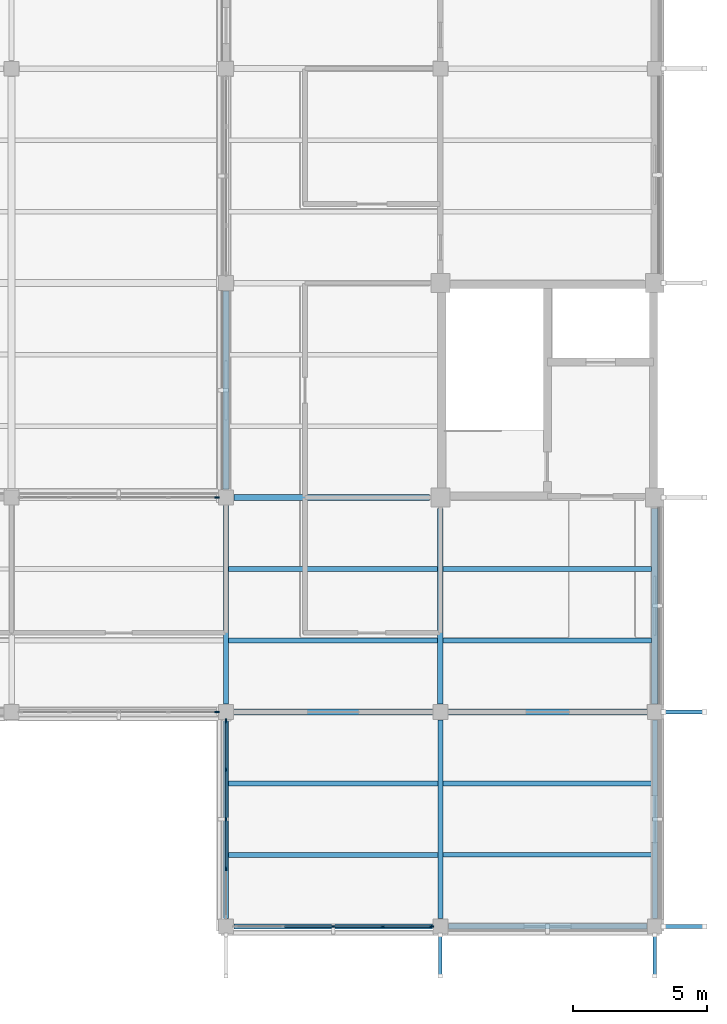
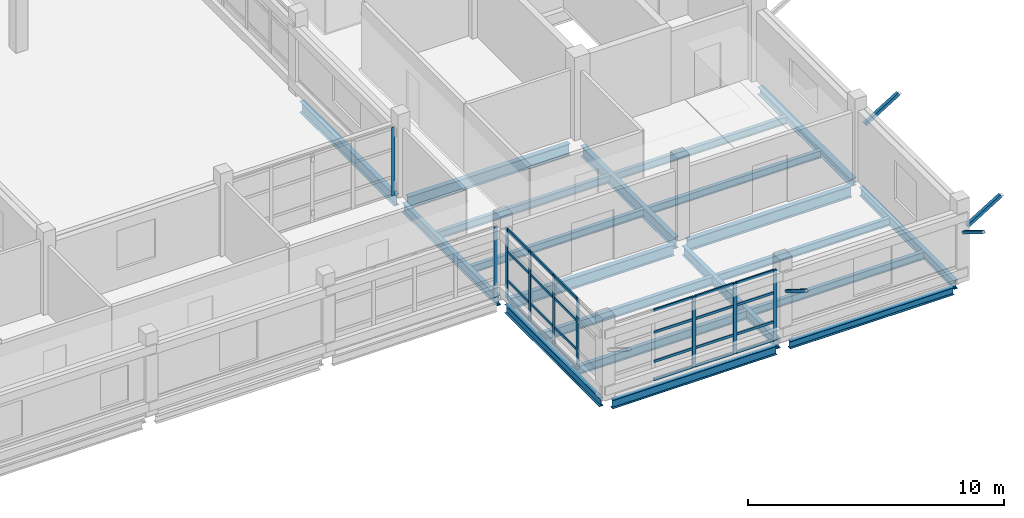
# One storey, part 40 of 107: 37 members, 20 beams, 4 elements without a shape of their own.
"""IFC4 building model written with IfcOpenShell, lengths in metres."""

from ifc_helpers import new_model, si_unit, derived_unit, direction, frame, origin, origin_2d, place, context, subcontext, project, spatial, rectangle, hollow_rectangle, i_section, extrude, material, layer, layer_set, material_profile, profile_set, type_object, element, aggregate, save


model = new_model("IFC4")

# Units and contexts
model_context = context("Model", 3, precision=1e-05, world=origin(), true_north=direction((0.0, 1.0)))
body_context = subcontext(model_context, "Body", "Model", "MODEL_VIEW")
ifc_project = project(units=[si_unit("LENGTHUNIT", "METRE"), si_unit("AREAUNIT", "SQUARE_METRE"), si_unit("VOLUMEUNIT", "CUBIC_METRE"), si_unit("PLANEANGLEUNIT", "RADIAN"), si_unit("MASSUNIT", "GRAM", prefix="KILO"), derived_unit("THERMALTRANSMITTANCEUNIT", [(si_unit("MASSUNIT", "GRAM", prefix="KILO"), 1), (si_unit("TIMEUNIT", "SECOND"), -3), (si_unit("THERMODYNAMICTEMPERATUREUNIT", "KELVIN"), -1)])], contexts=[model_context])

# Site, building, storey
site_placement = place(None, origin())
site = spatial("IfcSite", under=ifc_project, at=site_placement, CompositionType="ELEMENT")
building_placement = place(site_placement, origin())
building = spatial("IfcBuilding", under=site, at=building_placement, Name="Veyamyaing Civic Hall", CompositionType="ELEMENT")
storey_placement = place(building_placement, frame((0.0, 0.0, 13.860107421875)))
storey = spatial("IfcBuildingStorey", under=building, at=storey_placement, Name="L03", CompositionType="ELEMENT", Elevation=13.860107421875)

# Beams
ifc_material_1 = material(Name="Steel ASTM A992", Category="steel")
ifc_material_profile_1 = material_profile(ifc_material_1, i_section(OverallWidth=0.208984375, OverallDepth=0.532958984375, WebThickness=0.01025390625, FlangeThickness=0.015625, FilletRadius=0.011962890625, at=origin_2d()), Name="W530X92")
ifc_profile_set_1 = profile_set([ifc_material_profile_1], Name="Steel ASTM A992")
beam_type_1 = type_object("IfcBeamType", Name="B-07", PredefinedType="BEAM", material=ifc_profile_set_1)
beam_1_placement = place(storey_placement, frame((160.300048828125, 8.0, -0.521728515625), z_axis=(1.0, 0.0, 0.0), x_axis=(0.0, 1.0, 0.0)))
element("IfcBeam", 1, at=beam_1_placement, inside=storey, type_object=beam_type_1, Name="Girder B-07 L03 Grid B 21-22", PredefinedType="BEAM", context=body_context, shape_type="SweptSolid", body=[
    extrude(i_section(OverallWidth=0.208984375, OverallDepth=0.532958984375, WebThickness=0.01025390625, FlangeThickness=0.015625, FilletRadius=0.011962890625, at=origin_2d()), origin(), (0.0, 0.0, 1.0), 7.39990234375),
])
ifc_material_profile_2 = material_profile(ifc_material_1, i_section(OverallWidth=0.19189453125, OverallDepth=0.462890625, WebThickness=0.010498046875, FlangeThickness=0.017578125, FilletRadius=0.010009765625, at=origin_2d()), Name="W460X89")
ifc_profile_set_2 = profile_set([ifc_material_profile_2], Name="Steel ASTM A992")
beam_type_2 = type_object("IfcBeamType", Name="B-08", PredefinedType="BEAM", material=ifc_profile_set_2)
for number, where, z_axis, x_axis, name in (
    (2, (160.0, 8.300048828125, -0.486572265625), (0.0, 1.0, 0.0), (-1.0, 0.0, 0.0), "Girder B-08 L03 Grid 21 B-C"),
    (3, (168.0, 0.300048828125, -0.486572265625), (0.0, 1.0, 0.0), (-1.0, 0.0, 0.0), "Girder B-08 L03 Grid 22 A-B"),
):
    element("IfcBeam", number, at=place(storey_placement, frame(where, z_axis=z_axis, x_axis=x_axis)), inside=storey, type_object=beam_type_2, Name=name, PredefinedType="BEAM", context=body_context, shape_type="SweptSolid", body=[
        extrude(i_section(OverallWidth=0.19189453125, OverallDepth=0.462890625, WebThickness=0.010498046875, FlangeThickness=0.017578125, FilletRadius=0.010009765625, at=origin_2d()), origin(), (0.0, 0.0, 1.0), 7.39990234375),
    ])
ifc_material_profile_3 = material_profile(ifc_material_1, i_section(OverallWidth=0.179931640625, OverallDepth=0.4130859375, WebThickness=0.009765625, FlangeThickness=0.01611328125, FilletRadius=0.010009765625, at=origin_2d()), Name="W410X74")
ifc_profile_set_3 = profile_set([ifc_material_profile_3], Name="Steel ASTM A992")
beam_type_3 = type_object("IfcBeamType", Name="B-10", PredefinedType="SPANDREL", material=ifc_profile_set_3)
for number, where, z_axis, x_axis, name in (
    (4, (160.300048828125, 0.0, -0.461669921875), (1.0, 0.0, 0.0), (0.0, 1.0, 0.0), "Girder B-10 L03 Grid A 21-22"),
    (5, (160.0, 0.300048828125, -0.461669921875), (0.0, 1.0, 0.0), (-1.0, 0.0, 0.0), "Girder B-10 L03 Grid 21 A-B"),
):
    element("IfcBeam", number, at=place(storey_placement, frame(where, z_axis=z_axis, x_axis=x_axis)), inside=storey, type_object=beam_type_3, Name=name, PredefinedType="SPANDREL", context=body_context, shape_type="SweptSolid", body=[
        extrude(i_section(OverallWidth=0.179931640625, OverallDepth=0.4130859375, WebThickness=0.009765625, FlangeThickness=0.01611328125, FilletRadius=0.010009765625, at=origin_2d()), origin(), (0.0, 0.0, 1.0), 7.39990234375),
    ])
ifc_material_profile_4 = material_profile(ifc_material_1, i_section(OverallWidth=0.2041015625, OverallDepth=0.35009765625, WebThickness=0.0078125, FlangeThickness=0.01513671875, FilletRadius=0.010009765625, at=origin_2d()), Name="W360X72")
ifc_profile_set_4 = profile_set([ifc_material_profile_4], Name="Steel ASTM A992")
beam_type_4 = type_object("IfcBeamType", Name="B-11", PredefinedType="SPANDREL", material=ifc_profile_set_4)
beam_2_placement = place(storey_placement, frame((168.300048828125, 0.0, -0.43017578125), z_axis=(1.0, 0.0, 0.0), x_axis=(0.0, 1.0, 0.0)))
element("IfcBeam", 6, at=beam_2_placement, inside=storey, type_object=beam_type_4, Name="Girder B-11 L03 Grid A 22-23", PredefinedType="SPANDREL", context=body_context, shape_type="SweptSolid", body=[
    extrude(i_section(OverallWidth=0.2041015625, OverallDepth=0.35009765625, WebThickness=0.0078125, FlangeThickness=0.01513671875, FilletRadius=0.010009765625, at=origin_2d()), origin(), (0.0, 0.0, 1.0), 7.39990234375),
])
ifc_material_profile_5 = material_profile(ifc_material_1, i_section(OverallWidth=0.214111328125, OverallDepth=0.549072265625, WebThickness=0.0146484375, FlangeThickness=0.023681640625, FilletRadius=0.011962890625, at=origin_2d()), Name="W530X138")
ifc_profile_set_5 = profile_set([ifc_material_profile_5], Name="Steel ASTM A992")
beam_type_5 = type_object("IfcBeamType", Name="B-16", PredefinedType="BEAM", material=ifc_profile_set_5)
beam_3_placement = place(storey_placement, frame((168.300048828125, 8.0, -0.529541015625), z_axis=(1.0, 0.0, 0.0), x_axis=(0.0, 1.0, 0.0)))
element("IfcBeam", 7, at=beam_3_placement, inside=storey, type_object=beam_type_5, Name="Girder B-16 L03 Grid B 22-23", PredefinedType="BEAM", context=body_context, shape_type="SweptSolid", body=[
    extrude(i_section(OverallWidth=0.214111328125, OverallDepth=0.549072265625, WebThickness=0.0146484375, FlangeThickness=0.023681640625, FilletRadius=0.011962890625, at=origin_2d()), origin(), (0.0, 0.0, 1.0), 7.39990234375),
])
beam_4_placement = place(storey_placement, frame((160.300048828125, 16.0, -0.529541015625), z_axis=(1.0, 0.0, 0.0), x_axis=(0.0, 1.0, 0.0)))
element("IfcBeam", 8, at=beam_4_placement, inside=storey, type_object=beam_type_5, Name="Girder B-16 L03 Grid C 21-22", PredefinedType="BEAM", context=body_context, shape_type="SweptSolid", body=[
    extrude(i_section(OverallWidth=0.214111328125, OverallDepth=0.549072265625, WebThickness=0.0146484375, FlangeThickness=0.023681640625, FilletRadius=0.011962890625, at=origin_2d()), origin(), (0.0, 0.0, 1.0), 7.300048828125),
])
ifc_material_profile_6 = material_profile(ifc_material_1, i_section(OverallWidth=0.2109375, OverallDepth=0.5390625, WebThickness=0.01171875, FlangeThickness=0.018798828125, FilletRadius=0.011962890625, at=origin_2d()), Name="W530X109")
ifc_profile_set_6 = profile_set([ifc_material_profile_6], Name="Steel ASTM A992")
beam_type_6 = type_object("IfcBeamType", Name="B-17", PredefinedType="BEAM", material=ifc_profile_set_6)
beam_5_placement = place(storey_placement, frame((160.0, 16.300048828125, -0.524658203125), z_axis=(0.0, 1.0, 0.0), x_axis=(-1.0, 0.0, 0.0)))
element("IfcBeam", 9, at=beam_5_placement, inside=storey, type_object=beam_type_6, Name="Girder B-17 L03 Grid 21 C-D", PredefinedType="BEAM", context=body_context, shape_type="SweptSolid", body=[
    extrude(i_section(OverallWidth=0.2109375, OverallDepth=0.5390625, WebThickness=0.01171875, FlangeThickness=0.018798828125, FilletRadius=0.011962890625, at=origin_2d()), origin(), (0.0, 0.0, 1.0), 7.39990234375),
])
beam_6_placement = place(storey_placement, frame((168.0, 8.300048828125, -0.524658203125), z_axis=(0.0, 1.0, 0.0), x_axis=(-1.0, 0.0, 0.0)))
element("IfcBeam", 10, at=beam_6_placement, inside=storey, type_object=beam_type_6, Name="Girder B-17 L03 Grid 22 B-C", PredefinedType="BEAM", context=body_context, shape_type="SweptSolid", body=[
    extrude(i_section(OverallWidth=0.2109375, OverallDepth=0.5390625, WebThickness=0.01171875, FlangeThickness=0.018798828125, FilletRadius=0.011962890625, at=origin_2d()), origin(), (0.0, 0.0, 1.0), 7.300048828125),
])
ifc_material_profile_7 = material_profile(ifc_material_1, i_section(OverallWidth=0.180908203125, OverallDepth=0.4169921875, WebThickness=0.010986328125, FlangeThickness=0.018310546875, FilletRadius=0.010009765625, at=origin_2d()), Name="W410X85")
ifc_profile_set_7 = profile_set([ifc_material_profile_7], Name="Steel ASTM A992")
beam_type_7 = type_object("IfcBeamType", Name="B-19", PredefinedType="SPANDREL", material=ifc_profile_set_7)
beam_7_placement = place(storey_placement, frame((176.0, 0.300048828125, -0.463623046875), z_axis=(0.0, 1.0, 0.0), x_axis=(-1.0, 0.0, 0.0)))
element("IfcBeam", 11, at=beam_7_placement, inside=storey, type_object=beam_type_7, Name="Girder B-19 L03 Grid 23 A-B", PredefinedType="SPANDREL", context=body_context, shape_type="SweptSolid", body=[
    extrude(i_section(OverallWidth=0.180908203125, OverallDepth=0.4169921875, WebThickness=0.010986328125, FlangeThickness=0.018310546875, FilletRadius=0.010009765625, at=origin_2d()), origin(), (0.0, 0.0, 1.0), 7.39990234375),
])
ifc_material_profile_8 = material_profile(ifc_material_1, i_section(OverallWidth=0.25390625, OverallDepth=0.35302734375, WebThickness=0.009521484375, FlangeThickness=0.016357421875, FilletRadius=0.011962890625, at=origin_2d()), Name="W360X91")
ifc_profile_set_8 = profile_set([ifc_material_profile_8], Name="Steel ASTM A992")
beam_type_8 = type_object("IfcBeamType", Name="B-20", PredefinedType="SPANDREL", material=ifc_profile_set_8)
beam_8_placement = place(storey_placement, frame((176.0, 8.300048828125, -0.431640625), z_axis=(0.0, 1.0, 0.0), x_axis=(-1.0, 0.0, 0.0)))
element("IfcBeam", 12, at=beam_8_placement, inside=storey, type_object=beam_type_8, Name="Girder B-20 L03 Grid 23 B-C", PredefinedType="SPANDREL", context=body_context, shape_type="SweptSolid", body=[
    extrude(i_section(OverallWidth=0.25390625, OverallDepth=0.35302734375, WebThickness=0.009521484375, FlangeThickness=0.016357421875, FilletRadius=0.011962890625, at=origin_2d()), origin(), (0.0, 0.0, 1.0), 7.300048828125),
])

# Curtain wall, member
ifc_material_2 = material(Name="Anodised aluminium 6063-T6", Category="aluminium")
ifc_layer = layer(ifc_material_2, 0.159912109375, Name="Anodised aluminium 6063-T6")
ifc_layer_set = layer_set([ifc_layer], Name="Anodised aluminium 6063-T6")
curtain_wall_type = type_object("IfcCurtainWallType", Name="CW-07", PredefinedType="NOTDEFINED", material=ifc_layer_set)
curtain_wall_1_placement = place(storey_placement, origin())
curtain_wall_1 = element("IfcCurtainWall", 13, at=curtain_wall_1_placement, inside=storey, type_object=curtain_wall_type, Name="Unitized curtain wall CW-07 L03 S 20.2", PredefinedType="NOTDEFINED")
ifc_material_profile_9 = material_profile(ifc_material_2, rectangle(XDim=0.06494140625, YDim=0.159912109375, at=origin_2d()), Name="ALU-MUL-65X160")
ifc_profile_set_9 = profile_set([ifc_material_profile_9], Name="Anodised aluminium 6063-T6")
member_type_1 = type_object("IfcMemberType", Name="CWM-01", PredefinedType="MULLION", material=ifc_profile_set_9)
member_1_placement = place(storey_placement, frame((159.66259765625, 8.0, 0.0), z_axis=(0.0, 0.0, 1.0), x_axis=(0.0, 1.0, 0.0)))
member_1 = element("IfcMember", 14, at=member_1_placement, type_object=member_type_1, Name="CW-07 mullion 5", PredefinedType="MULLION", context=body_context, shape_type="SweptSolid", body=[
    extrude(rectangle(XDim=0.06494140625, YDim=0.159912109375, at=origin_2d()), origin(), (0.0, 0.0, 1.0), 3.366943359375),
])
aggregate(curtain_wall_1, [member_1])

curtain_wall_2_placement = place(storey_placement, origin())
curtain_wall_2 = element("IfcCurtainWall", 15, at=curtain_wall_2_placement, inside=storey, type_object=curtain_wall_type, Name="Unitized curtain wall CW-07 L03 N 20.2", PredefinedType="NOTDEFINED")
member_2_placement = place(storey_placement, frame((159.66259765625, 16.0, 0.0), z_axis=(0.0, 0.0, 1.0), x_axis=(0.0, 1.0, 0.0)))
member_2 = element("IfcMember", 16, at=member_2_placement, type_object=member_type_1, Name="CW-07 mullion 5", PredefinedType="MULLION", context=body_context, shape_type="SweptSolid", body=[
    extrude(rectangle(XDim=0.06494140625, YDim=0.159912109375, at=origin_2d()), origin(), (0.0, 0.0, 1.0), 3.260009765625),
])
aggregate(curtain_wall_2, [member_2])

# Curtain wall, members
curtain_wall_3_placement = place(storey_placement, origin())
curtain_wall_3 = element("IfcCurtainWall", 17, at=curtain_wall_3_placement, inside=storey, type_object=curtain_wall_type, Name="Unitized curtain wall CW-07 L03 S 21.1", PredefinedType="NOTDEFINED")
member_3_placement = place(storey_placement, frame((164.0, 0.0, 0.0), z_axis=(0.0, 0.0, 1.0), x_axis=(0.0, 1.0, 0.0)))
member_3 = element("IfcMember", 18, at=member_3_placement, type_object=member_type_1, Name="CW-07 mullion 3", PredefinedType="MULLION", context=body_context, shape_type="SweptSolid", body=[
    extrude(rectangle(XDim=0.06494140625, YDim=0.159912109375, at=origin_2d()), origin(), (0.0, 0.0, 1.0), 3.36181640625),
])
member_4_placement = place(storey_placement, frame((165.847412109375, 0.0, 0.0), z_axis=(0.0, 0.0, 1.0), x_axis=(0.0, 1.0, 0.0)))
member_4 = element("IfcMember", 19, at=member_4_placement, type_object=member_type_1, Name="CW-07 mullion 4", PredefinedType="MULLION", context=body_context, shape_type="SweptSolid", body=[
    extrude(rectangle(XDim=0.06494140625, YDim=0.159912109375, at=origin_2d()), origin(), (0.0, 0.0, 1.0), 3.36181640625),
])
member_5_placement = place(storey_placement, frame((167.66259765625, 0.0, 0.0), z_axis=(0.0, 0.0, 1.0), x_axis=(0.0, 1.0, 0.0)))
member_5 = element("IfcMember", 20, at=member_5_placement, type_object=member_type_1, Name="CW-07 mullion 5", PredefinedType="MULLION", context=body_context, shape_type="SweptSolid", body=[
    extrude(rectangle(XDim=0.06494140625, YDim=0.159912109375, at=origin_2d()), origin(), (0.0, 0.0, 1.0), 3.36181640625),
])

curtain_wall_4_placement = place(storey_placement, origin())
curtain_wall_4 = element("IfcCurtainWall", 21, at=curtain_wall_4_placement, inside=storey, type_object=curtain_wall_type, Name="Unitized curtain wall CW-07 L03 W 21.1", PredefinedType="NOTDEFINED")
member_6_placement = place(storey_placement, frame((160.0, 2.152587890625, 0.0), z_axis=(0.0, 0.0, 1.0), x_axis=(-1.0, 0.0, 0.0)))
member_6 = element("IfcMember", 22, at=member_6_placement, type_object=member_type_1, Name="CW-07 mullion 2", PredefinedType="MULLION", context=body_context, shape_type="SweptSolid", body=[
    extrude(rectangle(XDim=0.06494140625, YDim=0.159912109375, at=origin_2d()), origin(), (0.0, 0.0, 1.0), 3.36181640625),
])
member_7_placement = place(storey_placement, frame((160.0, 4.0, 0.0), z_axis=(0.0, 0.0, 1.0), x_axis=(-1.0, 0.0, 0.0)))
member_7 = element("IfcMember", 23, at=member_7_placement, type_object=member_type_1, Name="CW-07 mullion 3", PredefinedType="MULLION", context=body_context, shape_type="SweptSolid", body=[
    extrude(rectangle(XDim=0.06494140625, YDim=0.159912109375, at=origin_2d()), origin(), (0.0, 0.0, 1.0), 3.36181640625),
])
member_8_placement = place(storey_placement, frame((160.0, 5.847412109375, 0.0), z_axis=(0.0, 0.0, 1.0), x_axis=(-1.0, 0.0, 0.0)))
member_8 = element("IfcMember", 24, at=member_8_placement, type_object=member_type_1, Name="CW-07 mullion 4", PredefinedType="MULLION", context=body_context, shape_type="SweptSolid", body=[
    extrude(rectangle(XDim=0.06494140625, YDim=0.159912109375, at=origin_2d()), origin(), (0.0, 0.0, 1.0), 3.36181640625),
])
member_9_placement = place(storey_placement, frame((160.0, 7.66259765625, 0.0), z_axis=(0.0, 0.0, 1.0), x_axis=(-1.0, 0.0, 0.0)))
member_9 = element("IfcMember", 25, at=member_9_placement, type_object=member_type_1, Name="CW-07 mullion 5", PredefinedType="MULLION", context=body_context, shape_type="SweptSolid", body=[
    extrude(rectangle(XDim=0.06494140625, YDim=0.159912109375, at=origin_2d()), origin(), (0.0, 0.0, 1.0), 3.36181640625),
])

# Member
ifc_material_profile_10 = material_profile(ifc_material_2, rectangle(XDim=0.06494140625, YDim=0.1201171875, at=origin_2d()), Name="ALU-TRN-65X120")
ifc_profile_set_10 = profile_set([ifc_material_profile_10], Name="Anodised aluminium 6063-T6")
member_type_2 = type_object("IfcMemberType", Name="CWT-01", PredefinedType="USERDEFINED", material=ifc_profile_set_10)
member_10_placement = place(storey_placement, frame((162.18505859375, 0.0, 0.032470703125), z_axis=(1.0, 0.0, 0.0), x_axis=(0.0, 1.0, 0.0)))
member_10 = element("IfcMember", 26, at=member_10_placement, type_object=member_type_2, Name="CW-07 transom 2.1", ObjectType="TRANSOM", PredefinedType="USERDEFINED", context=body_context, shape_type="SweptSolid", body=[
    extrude(rectangle(XDim=0.06494140625, YDim=0.1201171875, at=origin_2d()), origin(), (0.0, 0.0, 1.0), 1.782470703125),
])

member_11_placement = place(storey_placement, frame((162.18505859375, 0.0, 0.89990234375), z_axis=(1.0, 0.0, 0.0), x_axis=(0.0, 1.0, 0.0)))
member_11 = element("IfcMember", 27, at=member_11_placement, type_object=member_type_2, Name="CW-07 transom 2.2", ObjectType="TRANSOM", PredefinedType="USERDEFINED", context=body_context, shape_type="SweptSolid", body=[
    extrude(rectangle(XDim=0.06494140625, YDim=0.1201171875, at=origin_2d()), origin(), (0.0, 0.0, 1.0), 1.782470703125),
])

member_12_placement = place(storey_placement, frame((162.18505859375, 0.0, 2.2861328125), z_axis=(1.0, 0.0, 0.0), x_axis=(0.0, 1.0, 0.0)))
member_12 = element("IfcMember", 28, at=member_12_placement, type_object=member_type_2, Name="CW-07 transom 2.3", ObjectType="TRANSOM", PredefinedType="USERDEFINED", context=body_context, shape_type="SweptSolid", body=[
    extrude(rectangle(XDim=0.06494140625, YDim=0.1201171875, at=origin_2d()), origin(), (0.0, 0.0, 1.0), 1.782470703125),
])

member_13_placement = place(storey_placement, frame((162.18505859375, 0.0, 3.329345703125), z_axis=(1.0, 0.0, 0.0), x_axis=(0.0, 1.0, 0.0)))
member_13 = element("IfcMember", 29, at=member_13_placement, type_object=member_type_2, Name="CW-07 transom 2.4", ObjectType="TRANSOM", PredefinedType="USERDEFINED", context=body_context, shape_type="SweptSolid", body=[
    extrude(rectangle(XDim=0.06494140625, YDim=0.1201171875, at=origin_2d()), origin(), (0.0, 0.0, 1.0), 1.782470703125),
])

member_14_placement = place(storey_placement, frame((164.032470703125, 0.0, 0.032470703125), z_axis=(1.0, 0.0, 0.0), x_axis=(0.0, 1.0, 0.0)))
member_14 = element("IfcMember", 30, at=member_14_placement, type_object=member_type_2, Name="CW-07 transom 3.1", ObjectType="TRANSOM", PredefinedType="USERDEFINED", context=body_context, shape_type="SweptSolid", body=[
    extrude(rectangle(XDim=0.06494140625, YDim=0.1201171875, at=origin_2d()), origin(), (0.0, 0.0, 1.0), 1.782470703125),
])

member_15_placement = place(storey_placement, frame((164.032470703125, 0.0, 0.89990234375), z_axis=(1.0, 0.0, 0.0), x_axis=(0.0, 1.0, 0.0)))
member_15 = element("IfcMember", 31, at=member_15_placement, type_object=member_type_2, Name="CW-07 transom 3.2", ObjectType="TRANSOM", PredefinedType="USERDEFINED", context=body_context, shape_type="SweptSolid", body=[
    extrude(rectangle(XDim=0.06494140625, YDim=0.1201171875, at=origin_2d()), origin(), (0.0, 0.0, 1.0), 1.782470703125),
])

member_16_placement = place(storey_placement, frame((164.032470703125, 0.0, 2.2861328125), z_axis=(1.0, 0.0, 0.0), x_axis=(0.0, 1.0, 0.0)))
member_16 = element("IfcMember", 32, at=member_16_placement, type_object=member_type_2, Name="CW-07 transom 3.3", ObjectType="TRANSOM", PredefinedType="USERDEFINED", context=body_context, shape_type="SweptSolid", body=[
    extrude(rectangle(XDim=0.06494140625, YDim=0.1201171875, at=origin_2d()), origin(), (0.0, 0.0, 1.0), 1.782470703125),
])

member_17_placement = place(storey_placement, frame((164.032470703125, 0.0, 3.329345703125), z_axis=(1.0, 0.0, 0.0), x_axis=(0.0, 1.0, 0.0)))
member_17 = element("IfcMember", 33, at=member_17_placement, type_object=member_type_2, Name="CW-07 transom 3.4", ObjectType="TRANSOM", PredefinedType="USERDEFINED", context=body_context, shape_type="SweptSolid", body=[
    extrude(rectangle(XDim=0.06494140625, YDim=0.1201171875, at=origin_2d()), origin(), (0.0, 0.0, 1.0), 1.782470703125),
])

member_18_placement = place(storey_placement, frame((165.8798828125, 0.0, 0.032470703125), z_axis=(1.0, 0.0, 0.0), x_axis=(0.0, 1.0, 0.0)))
member_18 = element("IfcMember", 34, at=member_18_placement, type_object=member_type_2, Name="CW-07 transom 4.1", ObjectType="TRANSOM", PredefinedType="USERDEFINED", context=body_context, shape_type="SweptSolid", body=[
    extrude(rectangle(XDim=0.06494140625, YDim=0.1201171875, at=origin_2d()), origin(), (0.0, 0.0, 1.0), 1.75),
])

member_19_placement = place(storey_placement, frame((165.8798828125, 0.0, 0.89990234375), z_axis=(1.0, 0.0, 0.0), x_axis=(0.0, 1.0, 0.0)))
member_19 = element("IfcMember", 35, at=member_19_placement, type_object=member_type_2, Name="CW-07 transom 4.2", ObjectType="TRANSOM", PredefinedType="USERDEFINED", context=body_context, shape_type="SweptSolid", body=[
    extrude(rectangle(XDim=0.06494140625, YDim=0.1201171875, at=origin_2d()), origin(), (0.0, 0.0, 1.0), 1.75),
])

member_20_placement = place(storey_placement, frame((165.8798828125, 0.0, 2.2861328125), z_axis=(1.0, 0.0, 0.0), x_axis=(0.0, 1.0, 0.0)))
member_20 = element("IfcMember", 36, at=member_20_placement, type_object=member_type_2, Name="CW-07 transom 4.3", ObjectType="TRANSOM", PredefinedType="USERDEFINED", context=body_context, shape_type="SweptSolid", body=[
    extrude(rectangle(XDim=0.06494140625, YDim=0.1201171875, at=origin_2d()), origin(), (0.0, 0.0, 1.0), 1.75),
])

member_21_placement = place(storey_placement, frame((165.8798828125, 0.0, 3.329345703125), z_axis=(1.0, 0.0, 0.0), x_axis=(0.0, 1.0, 0.0)))
member_21 = element("IfcMember", 37, at=member_21_placement, type_object=member_type_2, Name="CW-07 transom 4.4", ObjectType="TRANSOM", PredefinedType="USERDEFINED", context=body_context, shape_type="SweptSolid", body=[
    extrude(rectangle(XDim=0.06494140625, YDim=0.1201171875, at=origin_2d()), origin(), (0.0, 0.0, 1.0), 1.75),
])

aggregate(curtain_wall_3, [member_3, member_4, member_5, member_10, member_11, member_12, member_13, member_14, member_15, member_16, member_17, member_18, member_19, member_20, member_21])

member_22_placement = place(storey_placement, frame((160.0, 2.18505859375, 0.032470703125), z_axis=(0.0, 1.0, 0.0), x_axis=(-1.0, 0.0, 0.0)))
member_22 = element("IfcMember", 38, at=member_22_placement, type_object=member_type_2, Name="CW-07 transom 2.1", ObjectType="TRANSOM", PredefinedType="USERDEFINED", context=body_context, shape_type="SweptSolid", body=[
    extrude(rectangle(XDim=0.06494140625, YDim=0.1201171875, at=origin_2d()), origin(), (0.0, 0.0, 1.0), 1.782470703125),
])

member_23_placement = place(storey_placement, frame((160.0, 2.18505859375, 0.89990234375), z_axis=(0.0, 1.0, 0.0), x_axis=(-1.0, 0.0, 0.0)))
member_23 = element("IfcMember", 39, at=member_23_placement, type_object=member_type_2, Name="CW-07 transom 2.2", ObjectType="TRANSOM", PredefinedType="USERDEFINED", context=body_context, shape_type="SweptSolid", body=[
    extrude(rectangle(XDim=0.06494140625, YDim=0.1201171875, at=origin_2d()), origin(), (0.0, 0.0, 1.0), 1.782470703125),
])

member_24_placement = place(storey_placement, frame((160.0, 2.18505859375, 2.2861328125), z_axis=(0.0, 1.0, 0.0), x_axis=(-1.0, 0.0, 0.0)))
member_24 = element("IfcMember", 40, at=member_24_placement, type_object=member_type_2, Name="CW-07 transom 2.3", ObjectType="TRANSOM", PredefinedType="USERDEFINED", context=body_context, shape_type="SweptSolid", body=[
    extrude(rectangle(XDim=0.06494140625, YDim=0.1201171875, at=origin_2d()), origin(), (0.0, 0.0, 1.0), 1.782470703125),
])

member_25_placement = place(storey_placement, frame((160.0, 2.18505859375, 3.329345703125), z_axis=(0.0, 1.0, 0.0), x_axis=(-1.0, 0.0, 0.0)))
member_25 = element("IfcMember", 41, at=member_25_placement, type_object=member_type_2, Name="CW-07 transom 2.4", ObjectType="TRANSOM", PredefinedType="USERDEFINED", context=body_context, shape_type="SweptSolid", body=[
    extrude(rectangle(XDim=0.06494140625, YDim=0.1201171875, at=origin_2d()), origin(), (0.0, 0.0, 1.0), 1.782470703125),
])

member_26_placement = place(storey_placement, frame((160.0, 4.032470703125, 0.032470703125), z_axis=(0.0, 1.0, 0.0), x_axis=(-1.0, 0.0, 0.0)))
member_26 = element("IfcMember", 42, at=member_26_placement, type_object=member_type_2, Name="CW-07 transom 3.1", ObjectType="TRANSOM", PredefinedType="USERDEFINED", context=body_context, shape_type="SweptSolid", body=[
    extrude(rectangle(XDim=0.06494140625, YDim=0.1201171875, at=origin_2d()), origin(), (0.0, 0.0, 1.0), 1.782470703125),
])

member_27_placement = place(storey_placement, frame((160.0, 4.032470703125, 0.89990234375), z_axis=(0.0, 1.0, 0.0), x_axis=(-1.0, 0.0, 0.0)))
member_27 = element("IfcMember", 43, at=member_27_placement, type_object=member_type_2, Name="CW-07 transom 3.2", ObjectType="TRANSOM", PredefinedType="USERDEFINED", context=body_context, shape_type="SweptSolid", body=[
    extrude(rectangle(XDim=0.06494140625, YDim=0.1201171875, at=origin_2d()), origin(), (0.0, 0.0, 1.0), 1.782470703125),
])

member_28_placement = place(storey_placement, frame((160.0, 4.032470703125, 2.2861328125), z_axis=(0.0, 1.0, 0.0), x_axis=(-1.0, 0.0, 0.0)))
member_28 = element("IfcMember", 44, at=member_28_placement, type_object=member_type_2, Name="CW-07 transom 3.3", ObjectType="TRANSOM", PredefinedType="USERDEFINED", context=body_context, shape_type="SweptSolid", body=[
    extrude(rectangle(XDim=0.06494140625, YDim=0.1201171875, at=origin_2d()), origin(), (0.0, 0.0, 1.0), 1.782470703125),
])

member_29_placement = place(storey_placement, frame((160.0, 4.032470703125, 3.329345703125), z_axis=(0.0, 1.0, 0.0), x_axis=(-1.0, 0.0, 0.0)))
member_29 = element("IfcMember", 45, at=member_29_placement, type_object=member_type_2, Name="CW-07 transom 3.4", ObjectType="TRANSOM", PredefinedType="USERDEFINED", context=body_context, shape_type="SweptSolid", body=[
    extrude(rectangle(XDim=0.06494140625, YDim=0.1201171875, at=origin_2d()), origin(), (0.0, 0.0, 1.0), 1.782470703125),
])

member_30_placement = place(storey_placement, frame((160.0, 5.8798828125, 0.032470703125), z_axis=(0.0, 1.0, 0.0), x_axis=(-1.0, 0.0, 0.0)))
member_30 = element("IfcMember", 46, at=member_30_placement, type_object=member_type_2, Name="CW-07 transom 4.1", ObjectType="TRANSOM", PredefinedType="USERDEFINED", context=body_context, shape_type="SweptSolid", body=[
    extrude(rectangle(XDim=0.06494140625, YDim=0.1201171875, at=origin_2d()), origin(), (0.0, 0.0, 1.0), 1.75),
])

member_31_placement = place(storey_placement, frame((160.0, 5.8798828125, 0.89990234375), z_axis=(0.0, 1.0, 0.0), x_axis=(-1.0, 0.0, 0.0)))
member_31 = element("IfcMember", 47, at=member_31_placement, type_object=member_type_2, Name="CW-07 transom 4.2", ObjectType="TRANSOM", PredefinedType="USERDEFINED", context=body_context, shape_type="SweptSolid", body=[
    extrude(rectangle(XDim=0.06494140625, YDim=0.1201171875, at=origin_2d()), origin(), (0.0, 0.0, 1.0), 1.75),
])

member_32_placement = place(storey_placement, frame((160.0, 5.8798828125, 2.2861328125), z_axis=(0.0, 1.0, 0.0), x_axis=(-1.0, 0.0, 0.0)))
member_32 = element("IfcMember", 48, at=member_32_placement, type_object=member_type_2, Name="CW-07 transom 4.3", ObjectType="TRANSOM", PredefinedType="USERDEFINED", context=body_context, shape_type="SweptSolid", body=[
    extrude(rectangle(XDim=0.06494140625, YDim=0.1201171875, at=origin_2d()), origin(), (0.0, 0.0, 1.0), 1.75),
])

member_33_placement = place(storey_placement, frame((160.0, 5.8798828125, 3.329345703125), z_axis=(0.0, 1.0, 0.0), x_axis=(-1.0, 0.0, 0.0)))
member_33 = element("IfcMember", 49, at=member_33_placement, type_object=member_type_2, Name="CW-07 transom 4.4", ObjectType="TRANSOM", PredefinedType="USERDEFINED", context=body_context, shape_type="SweptSolid", body=[
    extrude(rectangle(XDim=0.06494140625, YDim=0.1201171875, at=origin_2d()), origin(), (0.0, 0.0, 1.0), 1.75),
])

aggregate(curtain_wall_4, [member_6, member_7, member_8, member_9, member_22, member_23, member_24, member_25, member_26, member_27, member_28, member_29, member_30, member_31, member_32, member_33])

# Beams
ifc_material_profile_11 = material_profile(ifc_material_1, i_section(OverallWidth=0.177978515625, OverallDepth=0.406982421875, WebThickness=0.0078125, FlangeThickness=0.0126953125, FilletRadius=0.010009765625, at=origin_2d()), Name="W410X60")
ifc_profile_set_11 = profile_set([ifc_material_profile_11], Name="Steel ASTM A992")
beam_type_9 = type_object("IfcBeamType", Name="J-01", PredefinedType="JOIST", material=ifc_profile_set_11)
for number, where, z_axis, x_axis, name in (
    (50, (160.087890625, 2.666748046875, -0.45849609375), (1.0, 0.0, 0.0), (0.0, 1.0, 0.0), "Composite floor joist J-01 L03 21.1.1"),
    (51, (160.087890625, 5.333251953125, -0.45849609375), (1.0, 0.0, 0.0), (0.0, 1.0, 0.0), "Composite floor joist J-01 L03 21.1.2"),
):
    element("IfcBeam", number, at=place(storey_placement, frame(where, z_axis=z_axis, x_axis=x_axis)), inside=storey, type_object=beam_type_9, Name=name, PredefinedType="JOIST", context=body_context, shape_type="SweptSolid", body=[
        extrude(i_section(OverallWidth=0.177978515625, OverallDepth=0.406982421875, WebThickness=0.0078125, FlangeThickness=0.0126953125, FilletRadius=0.010009765625, at=origin_2d()), origin(), (0.0, 0.0, 1.0), 7.818115234375),
    ])
ifc_material_profile_12 = material_profile(ifc_material_1, i_section(OverallWidth=0.172119140625, OverallDepth=0.35791015625, WebThickness=0.0078125, FlangeThickness=0.01318359375, FilletRadius=0.010009765625, at=origin_2d()), Name="W360X57")
ifc_profile_set_12 = profile_set([ifc_material_profile_12], Name="Steel ASTM A992")
beam_type_10 = type_object("IfcBeamType", Name="J-02", PredefinedType="JOIST", material=ifc_profile_set_12)
for number, where, z_axis, x_axis, name in (
    (52, (160.093994140625, 10.666748046875, -0.43408203125), (1.0, 0.0, 0.0), (0.0, 1.0, 0.0), "Composite floor joist J-02 L03 21.2.1"),
    (53, (160.093994140625, 13.333251953125, -0.43408203125), (1.0, 0.0, 0.0), (0.0, 1.0, 0.0), "Composite floor joist J-02 L03 21.2.2"),
):
    element("IfcBeam", number, at=place(storey_placement, frame(where, z_axis=z_axis, x_axis=x_axis)), inside=storey, type_object=beam_type_10, Name=name, PredefinedType="JOIST", context=body_context, shape_type="SweptSolid", body=[
        extrude(i_section(OverallWidth=0.172119140625, OverallDepth=0.35791015625, WebThickness=0.0078125, FlangeThickness=0.01318359375, FilletRadius=0.010009765625, at=origin_2d()), origin(), (0.0, 0.0, 1.0), 7.802490234375),
    ])
for number, where, z_axis, x_axis, name in (
    (54, (168.093994140625, 2.666748046875, -0.43408203125), (1.0, 0.0, 0.0), (0.0, 1.0, 0.0), "Composite floor joist J-02 L03 22.1.1"),
    (55, (168.093994140625, 5.333251953125, -0.43408203125), (1.0, 0.0, 0.0), (0.0, 1.0, 0.0), "Composite floor joist J-02 L03 22.1.2"),
):
    element("IfcBeam", number, at=place(storey_placement, frame(where, z_axis=z_axis, x_axis=x_axis)), inside=storey, type_object=beam_type_10, Name=name, PredefinedType="JOIST", context=body_context, shape_type="SweptSolid", body=[
        extrude(i_section(OverallWidth=0.172119140625, OverallDepth=0.35791015625, WebThickness=0.0078125, FlangeThickness=0.01318359375, FilletRadius=0.010009765625, at=origin_2d()), origin(), (0.0, 0.0, 1.0), 7.817626953125),
    ])
ifc_material_profile_13 = material_profile(ifc_material_1, i_section(OverallWidth=0.1708984375, OverallDepth=0.35205078125, WebThickness=0.0068359375, FlangeThickness=0.009765625, FilletRadius=0.010009765625, at=origin_2d()), Name="W360X44")
ifc_profile_set_13 = profile_set([ifc_material_profile_13], Name="Steel ASTM A992")
beam_type_11 = type_object("IfcBeamType", Name="J-03", PredefinedType="JOIST", material=ifc_profile_set_13)
for number, where, z_axis, x_axis, name in (
    (56, (168.103515625, 10.666748046875, -0.43115234375), (1.0, 0.0, 0.0), (0.0, 1.0, 0.0), "Composite floor joist J-03 L03 22.2.1"),
    (57, (168.103515625, 13.333251953125, -0.43115234375), (1.0, 0.0, 0.0), (0.0, 1.0, 0.0), "Composite floor joist J-03 L03 22.2.2"),
):
    element("IfcBeam", number, at=place(storey_placement, frame(where, z_axis=z_axis, x_axis=x_axis)), inside=storey, type_object=beam_type_11, Name=name, PredefinedType="JOIST", context=body_context, shape_type="SweptSolid", body=[
        extrude(i_section(OverallWidth=0.1708984375, OverallDepth=0.35205078125, WebThickness=0.0068359375, FlangeThickness=0.009765625, FilletRadius=0.010009765625, at=origin_2d()), origin(), (0.0, 0.0, 1.0), 7.771484375),
    ])

# Members
ifc_material_3 = material(Name="Steel S355J2", Category="steel")
ifc_material_profile_14 = material_profile(ifc_material_3, hollow_rectangle(XDim=0.152099609375, YDim=0.152099609375, WallThickness=0.009521484375, at=origin_2d()), Name="HSS152X152X9.5")
ifc_profile_set_14 = profile_set([ifc_material_profile_14], Name="Steel S355J2")
member_type_3 = type_object("IfcMemberType", Name="SR-01", PredefinedType="STRUT", material=ifc_profile_set_14)
for number, where, z_axis, x_axis, name in (
    (58, (176.320068359375, 0.0, 2.409912109375), (0.852059527287, 0.0, 0.523444898685), (0.0, 1.0, 0.0), "Sacak diagonal steel eave strut SR-01 V3-E.0"),
    (59, (176.320068359375, 8.0, 2.409912109375), (0.852059527287, 0.0, 0.523444898685), (0.0, 1.0, 0.0), "Sacak diagonal steel eave strut SR-01 V3-E.1"),
):
    element("IfcMember", number, at=place(storey_placement, frame(where, z_axis=z_axis, x_axis=x_axis)), inside=storey, type_object=member_type_3, Name=name, PredefinedType="STRUT", context=body_context, shape_type="SweptSolid", body=[
        extrude(hollow_rectangle(XDim=0.152099609375, YDim=0.152099609375, WallThickness=0.009521484375, at=origin_2d()), origin(), (0.0, 0.0, 1.0), 1.795654296875),
    ])
ifc_material_profile_15 = material_profile(ifc_material_3, hollow_rectangle(XDim=0.126953125, YDim=0.126953125, WallThickness=0.009521484375, at=origin_2d()), Name="HSS127X127X9.5")
ifc_profile_set_15 = profile_set([ifc_material_profile_15], Name="Steel S355J2")
member_type_4 = type_object("IfcMemberType", Name="SR-03", PredefinedType="STRUT", material=ifc_profile_set_15)
for number, where, z_axis, x_axis, name in (
    (60, (168.0, -0.320068359375, 2.409912109375), (0.0, -0.852059527287, 0.523444898685), (1.0, 0.0, 0.0), "Sacak diagonal steel eave strut SR-03 V3-S.21"),
    (61, (176.0, -0.320068359375, 2.409912109375), (0.0, -0.852059527287, 0.523444898685), (1.0, 0.0, 0.0), "Sacak diagonal steel eave strut SR-03 V3-S.22"),
):
    element("IfcMember", number, at=place(storey_placement, frame(where, z_axis=z_axis, x_axis=x_axis)), inside=storey, type_object=member_type_4, Name=name, PredefinedType="STRUT", context=body_context, shape_type="SweptSolid", body=[
        extrude(hollow_rectangle(XDim=0.126953125, YDim=0.126953125, WallThickness=0.009521484375, at=origin_2d()), origin(), (0.0, 0.0, 1.0), 1.795654296875),
    ])

save(model, "model.ifc")
